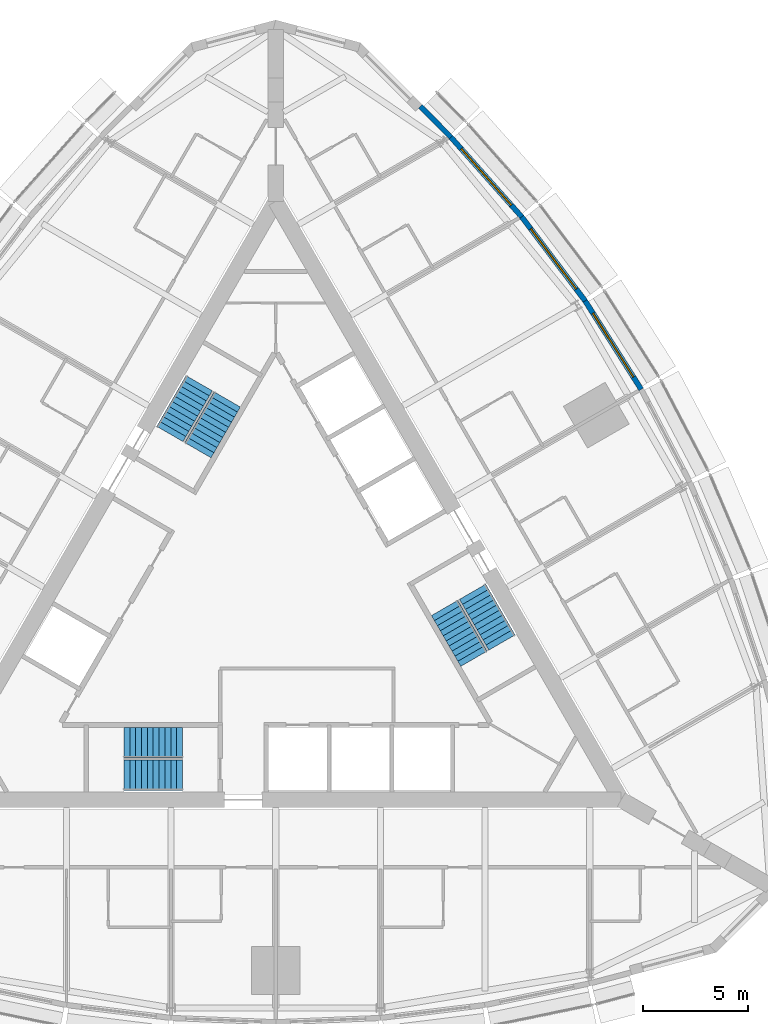
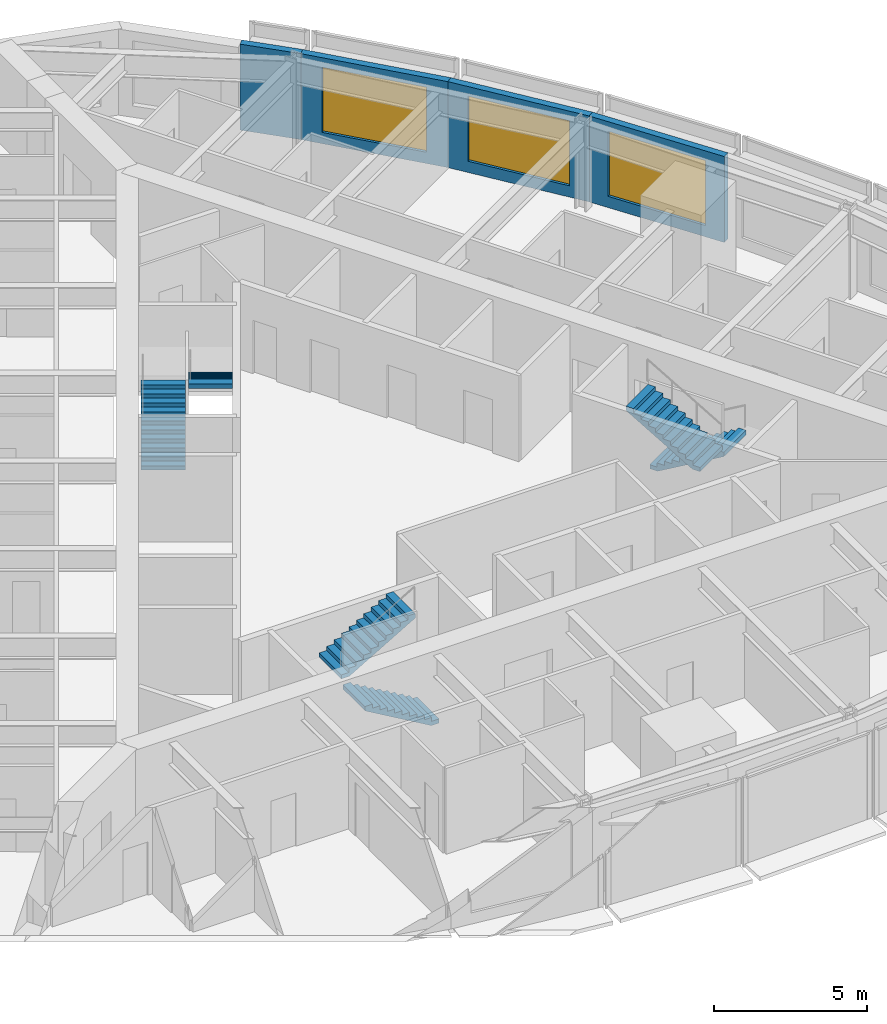
# One storey, part 14 of 15: 6 stair flights, 4 walls, 3 windows, 3 openings, 3 elements without a shape of their own.
"""IFC4 building model written with IfcOpenShell, lengths in metres."""

from ifc_helpers import new_model, si_unit, direction, frame, frame_2d, origin, place, context, subcontext, project, spatial, polyline, rectangle, outline, extrude, material, layer, layer_set, type_object, element, fill, aggregate, save


model = new_model("IFC4")

# Units and contexts
model_context = context("Model", 3, precision=1e-05, world=origin(), true_north=direction((0.0, 1.0)))
body_context = subcontext(model_context, "Body", "Model", "MODEL_VIEW")
ifc_project = project(units=[si_unit("LENGTHUNIT", "METRE"), si_unit("AREAUNIT", "SQUARE_METRE"), si_unit("VOLUMEUNIT", "CUBIC_METRE"), si_unit("PLANEANGLEUNIT", "RADIAN"), si_unit("MASSUNIT", "GRAM", prefix="KILO")], contexts=[model_context])

# Site, building, storey
site_placement = place(None, origin())
site = spatial("IfcSite", under=ifc_project, at=site_placement, CompositionType="ELEMENT")
building_placement = place(site_placement, origin())
building = spatial("IfcBuilding", under=site, at=building_placement, Name="Trikona Tower", CompositionType="ELEMENT")
storey_placement = place(building_placement, frame((0.0, 0.0, 204.5)))
storey = spatial("IfcBuildingStorey", under=building, at=storey_placement, Name="L54", CompositionType="ELEMENT", Elevation=204.5)

# Wall, opening, window
ifc_material_1 = material(Name="Insulated precast concrete spandrel panel", Category="concrete")
ifc_layer = layer(ifc_material_1, 0.25)
ifc_layer_set = layer_set([ifc_layer], Name="Inner skin wall 250")
wall_type = type_object("IfcWallType", Name="Inner skin wall 250", PredefinedType="STANDARD", material=ifc_layer_set)
wall_1_placement = place(storey_placement, frame((17.45556640625, 10.072021484375, 0.0), z_axis=(0.0, 0.0, 1.0), x_axis=(-0.535220361449, 0.844712474568, 0.0)))
wall_1 = element("IfcWall", 1, at=wall_1_placement, inside=storey, type_object=wall_type, Name="External wall L54-16", PredefinedType="STANDARD", context=body_context, shape_type="SweptSolid", body=[
    extrude(rectangle(XDim=5.00439453125, YDim=0.25, at=frame_2d((2.502197265625, 0.0))), origin(), (0.0, 0.0, 1.0), 3.43505859375),
])
opening_1_placement = place(wall_1_placement, frame((0.7021484375, 0.0, 0.449951171875)))
opening_1 = element("IfcOpeningElement", 2, at=opening_1_placement, cuts=wall_1, Name="Opening W3626", PredefinedType="OPENING", context=body_context, shape_type="SweptSolid", body=[
    extrude(rectangle(XDim=3.60009765625, YDim=2.60009765625, at=frame_2d((1.800048828125, 1.300048828125))), frame((0.0, 0.135009765625, 0.0), z_axis=(0.0, -1.0, 0.0), x_axis=(1.0, 0.0, 0.0)), (0.0, 0.0, 1.0), 0.27001953125),
])
ifc_material_2 = material(Name="Aluminium-framed double glazing", Category="aluminium")
window_type = type_object("IfcWindowType", Name="Window 3600x2600", PartitioningType="SINGLE_PANEL", PredefinedType="WINDOW", material=ifc_material_2)
window_1_placement = place(opening_1_placement, origin())
window_1 = element("IfcWindow", 3, at=window_1_placement, inside=storey, type_object=window_type, Name="Window 5409", OverallHeight=2.60009765625, OverallWidth=3.60009765625, PartitioningType="SINGLE_PANEL", PredefinedType="WINDOW", context=body_context, shape_type="SweptSolid", body=[
    extrude(rectangle(XDim=3.60009765625, YDim=2.60009765625, at=frame_2d((1.800048828125, 1.300048828125))), frame((0.0, 0.030029296875, 0.0), z_axis=(0.0, -1.0, 0.0), x_axis=(1.0, 0.0, 0.0)), (0.0, 0.0, 1.0), 0.06005859375),
])
fill(opening_1, window_1)

wall_2_placement = place(storey_placement, frame((14.782958984375, 14.290771484375, 0.0), z_axis=(0.0, 0.0, 1.0), x_axis=(-0.602408653511, 0.798187831388, 0.0)))
wall_2 = element("IfcWall", 4, at=wall_2_placement, inside=storey, type_object=wall_type, Name="External wall L54-17", PredefinedType="STANDARD", context=body_context, shape_type="SweptSolid", body=[
    extrude(rectangle(XDim=5.037841796875, YDim=0.25, at=frame_2d((2.51904296875, 0.0))), origin(), (0.0, 0.0, 1.0), 3.43505859375),
])
opening_2_placement = place(wall_2_placement, frame((0.718994140625, 0.0, 0.449951171875)))
opening_2 = element("IfcOpeningElement", 5, at=opening_2_placement, cuts=wall_2, Name="Opening W3626", PredefinedType="OPENING", context=body_context, shape_type="SweptSolid", body=[
    extrude(rectangle(XDim=3.60009765625, YDim=2.60009765625, at=frame_2d((1.800048828125, 1.300048828125))), frame((0.0, 0.135009765625, 0.0), z_axis=(0.0, -1.0, 0.0), x_axis=(1.0, 0.0, 0.0)), (0.0, 0.0, 1.0), 0.27001953125),
])
window_2_placement = place(opening_2_placement, origin())
window_2 = element("IfcWindow", 6, at=window_2_placement, inside=storey, type_object=window_type, Name="Window 5409", OverallHeight=2.60009765625, OverallWidth=3.60009765625, PartitioningType="SINGLE_PANEL", PredefinedType="WINDOW", context=body_context, shape_type="SweptSolid", body=[
    extrude(rectangle(XDim=3.60009765625, YDim=2.60009765625, at=frame_2d((1.800048828125, 1.300048828125))), frame((0.0, 0.030029296875, 0.0), z_axis=(0.0, -1.0, 0.0), x_axis=(1.0, 0.0, 0.0)), (0.0, 0.0, 1.0), 0.06005859375),
])
fill(opening_2, window_2)

wall_3_placement = place(storey_placement, frame((11.75439453125, 18.304443359375, 0.0), z_axis=(0.0, 0.0, 1.0), x_axis=(-0.664348996191, 0.747422511876, 0.0)))
wall_3 = element("IfcWall", 7, at=wall_3_placement, inside=storey, type_object=wall_type, Name="External wall L54-18", PredefinedType="STANDARD", context=body_context, shape_type="SweptSolid", body=[
    extrude(rectangle(XDim=5.104736328125, YDim=0.25, at=frame_2d((2.55224609375, 0.0))), origin(), (0.0, 0.0, 1.0), 3.43505859375),
])
opening_3_placement = place(wall_3_placement, frame((0.75244140625, 0.0, 0.449951171875)))
opening_3 = element("IfcOpeningElement", 8, at=opening_3_placement, cuts=wall_3, Name="Opening W3626", PredefinedType="OPENING", context=body_context, shape_type="SweptSolid", body=[
    extrude(rectangle(XDim=3.60009765625, YDim=2.60009765625, at=frame_2d((1.800048828125, 1.300048828125))), frame((0.0, 0.135009765625, 0.0), z_axis=(0.0, -1.0, 0.0), x_axis=(1.0, 0.0, 0.0)), (0.0, 0.0, 1.0), 0.27001953125),
])
window_3_placement = place(opening_3_placement, origin())
window_3 = element("IfcWindow", 9, at=window_3_placement, inside=storey, type_object=window_type, Name="Window 5410", OverallHeight=2.60009765625, OverallWidth=3.60009765625, PartitioningType="SINGLE_PANEL", PredefinedType="WINDOW", context=body_context, shape_type="SweptSolid", body=[
    extrude(rectangle(XDim=3.60009765625, YDim=2.60009765625, at=frame_2d((1.800048828125, 1.300048828125))), frame((0.0, 0.030029296875, 0.0), z_axis=(0.0, -1.0, 0.0), x_axis=(1.0, 0.0, 0.0)), (0.0, 0.0, 1.0), 0.06005859375),
])
fill(opening_3, window_3)

# Wall
wall_4_placement = place(storey_placement, frame((8.36767578125, 22.11474609375, 0.0), z_axis=(0.0, 0.0, 1.0), x_axis=(-0.704149946111, 0.710051303352, 0.0)))
element("IfcWall", 10, at=wall_4_placement, inside=storey, type_object=wall_type, Name="External wall L54-19", PredefinedType="STANDARD", context=body_context, shape_type="SweptSolid", body=[
    extrude(rectangle(XDim=2.068603515625, YDim=0.25, at=frame_2d((1.0341796875, 0.0))), origin(), (0.0, 0.0, 1.0), 3.43505859375),
])

# Stair, stair flights
ifc_material_3 = material(Name="Concrete f'c 5000 psi", Category="concrete")
stair_type = type_object("IfcStairType", Name="Core stair", PredefinedType="HALF_TURN_STAIR", material=ifc_material_3)
stair_1_placement = place(storey_placement, origin())
stair_1 = element("IfcStair", 11, at=stair_1_placement, inside=storey, type_object=stair_type, Name="Stair A L54", PredefinedType="HALF_TURN_STAIR")
ifc_material_4 = material(Name="Concrete f'c 5000 psi", Category="concrete")
stair_flight_type = type_object("IfcStairFlightType", Name="Core stair flight 1450", PredefinedType="STRAIGHT", material=ifc_material_4)
stair_flight_1_placement = place(storey_placement, frame((-4.449951171875, -8.351318359375, 0.0), z_axis=(0.0, 0.0, 1.0), x_axis=(-1.0, 0.0, 0.0)))
stair_flight_1 = element("IfcStairFlight", 12, at=stair_flight_1_placement, type_object=stair_flight_type, Name="ST-A flight 1", NumberOfRisers=11, NumberOfTreads=10, PredefinedType="STRAIGHT", RiserHeight=0.163636, TreadLength=0.28, context=body_context, shape_type="SweptSolid", body=[
    extrude(outline(polyline([(0.0, 0.0), (0.0, 0.16357421875), (0.280029296875, 0.16357421875), (0.280029296875, 0.327392578125), (0.56005859375, 0.327392578125), (0.56005859375, 0.490966796875), (0.840087890625, 0.490966796875), (0.840087890625, 0.654541015625), (1.1201171875, 0.654541015625), (1.1201171875, 0.818115234375), (1.39990234375, 0.818115234375), (1.39990234375, 0.98193359375), (1.679931640625, 0.98193359375), (1.679931640625, 1.1455078125), (1.9599609375, 1.1455078125), (1.9599609375, 1.30908203125), (2.239990234375, 1.30908203125), (2.239990234375, 1.47265625), (2.52001953125, 1.47265625), (2.52001953125, 1.636474609375), (2.800048828125, 1.636474609375), (2.800048828125, 1.800048828125), (2.800048828125, 1.462646484375), (0.297119140625, 0.0), (0.0, 0.0)])), frame((0.0, 0.72509765625, 0.0), z_axis=(0.0, -1.0, 0.0), x_axis=(1.0, 0.0, 0.0)), (0.0, 0.0, 1.0), 1.449951171875),
])
stair_flight_2_placement = place(storey_placement, frame((-7.25, -6.80126953125, 1.800048828125), z_axis=(0.0, 0.0, 1.0), x_axis=(1.0, 0.0, 0.0)))
stair_flight_2 = element("IfcStairFlight", 13, at=stair_flight_2_placement, type_object=stair_flight_type, Name="ST-A flight 2", NumberOfRisers=11, NumberOfTreads=10, PredefinedType="STRAIGHT", RiserHeight=0.163636, TreadLength=0.28, context=body_context, shape_type="SweptSolid", body=[
    extrude(outline(polyline([(0.0, 0.0), (0.0, 0.16357421875), (0.280029296875, 0.16357421875), (0.280029296875, 0.327392578125), (0.56005859375, 0.327392578125), (0.56005859375, 0.490966796875), (0.840087890625, 0.490966796875), (0.840087890625, 0.654541015625), (1.1201171875, 0.654541015625), (1.1201171875, 0.818115234375), (1.39990234375, 0.818115234375), (1.39990234375, 0.98193359375), (1.679931640625, 0.98193359375), (1.679931640625, 1.1455078125), (1.9599609375, 1.1455078125), (1.9599609375, 1.30908203125), (2.239990234375, 1.30908203125), (2.239990234375, 1.47265625), (2.52001953125, 1.47265625), (2.52001953125, 1.636474609375), (2.800048828125, 1.636474609375), (2.800048828125, 1.800048828125), (2.800048828125, 1.462646484375), (0.297119140625, 0.0), (0.0, 0.0)])), frame((0.0, 0.72509765625, 0.0), z_axis=(0.0, -1.0, 0.0), x_axis=(1.0, 0.0, 0.0)), (0.0, 0.0, 1.0), 1.449951171875),
])
aggregate(stair_1, [stair_flight_1, stair_flight_2])

stair_2_placement = place(storey_placement, origin())
stair_2 = element("IfcStair", 14, at=stair_2_placement, inside=storey, type_object=stair_type, Name="Stair B L54", PredefinedType="HALF_TURN_STAIR")
stair_flight_3_placement = place(storey_placement, frame((9.407470703125, 0.408447265625, 0.0), z_axis=(0.0, 0.0, 1.0), x_axis=(0.5, -0.866025403784, 0.0)))
stair_flight_3 = element("IfcStairFlight", 15, at=stair_flight_3_placement, type_object=stair_flight_type, Name="ST-B flight 1", NumberOfRisers=11, NumberOfTreads=10, PredefinedType="STRAIGHT", RiserHeight=0.163636, TreadLength=0.28, context=body_context, shape_type="SweptSolid", body=[
    extrude(outline(polyline([(0.0, 0.0), (0.0, 0.16357421875), (0.280029296875, 0.16357421875), (0.280029296875, 0.327392578125), (0.56005859375, 0.327392578125), (0.56005859375, 0.490966796875), (0.840087890625, 0.490966796875), (0.840087890625, 0.654541015625), (1.1201171875, 0.654541015625), (1.1201171875, 0.818115234375), (1.39990234375, 0.818115234375), (1.39990234375, 0.98193359375), (1.679931640625, 0.98193359375), (1.679931640625, 1.1455078125), (1.9599609375, 1.1455078125), (1.9599609375, 1.30908203125), (2.239990234375, 1.30908203125), (2.239990234375, 1.47265625), (2.52001953125, 1.47265625), (2.52001953125, 1.636474609375), (2.800048828125, 1.636474609375), (2.800048828125, 1.800048828125), (2.800048828125, 1.462646484375), (0.297119140625, 0.0), (0.0, 0.0)])), frame((0.0, 0.72509765625, 0.0), z_axis=(0.0, -1.0, 0.0), x_axis=(1.0, 0.0, 0.0)), (0.0, 0.0, 1.0), 1.449951171875),
])
stair_flight_4_placement = place(storey_placement, frame((9.465087890625, -2.79150390625, 1.800048828125), z_axis=(0.0, 0.0, 1.0), x_axis=(-0.5, 0.866025403784, 0.0)))
stair_flight_4 = element("IfcStairFlight", 16, at=stair_flight_4_placement, type_object=stair_flight_type, Name="ST-B flight 2", NumberOfRisers=11, NumberOfTreads=10, PredefinedType="STRAIGHT", RiserHeight=0.163636, TreadLength=0.28, context=body_context, shape_type="SweptSolid", body=[
    extrude(outline(polyline([(0.0, 0.0), (0.0, 0.16357421875), (0.280029296875, 0.16357421875), (0.280029296875, 0.327392578125), (0.56005859375, 0.327392578125), (0.56005859375, 0.490966796875), (0.840087890625, 0.490966796875), (0.840087890625, 0.654541015625), (1.1201171875, 0.654541015625), (1.1201171875, 0.818115234375), (1.39990234375, 0.818115234375), (1.39990234375, 0.98193359375), (1.679931640625, 0.98193359375), (1.679931640625, 1.1455078125), (1.9599609375, 1.1455078125), (1.9599609375, 1.30908203125), (2.239990234375, 1.30908203125), (2.239990234375, 1.47265625), (2.52001953125, 1.47265625), (2.52001953125, 1.636474609375), (2.800048828125, 1.636474609375), (2.800048828125, 1.800048828125), (2.800048828125, 1.462646484375), (0.297119140625, 0.0), (0.0, 0.0)])), frame((0.0, 0.72509765625, 0.0), z_axis=(0.0, -1.0, 0.0), x_axis=(1.0, 0.0, 0.0)), (0.0, 0.0, 1.0), 1.449951171875),
])
aggregate(stair_2, [stair_flight_3, stair_flight_4])

stair_3_placement = place(storey_placement, origin())
stair_3 = element("IfcStair", 17, at=stair_3_placement, inside=storey, type_object=stair_type, Name="Stair C L54", PredefinedType="HALF_TURN_STAIR")
stair_flight_5_placement = place(storey_placement, frame((-5.057373046875, 7.94287109375, 0.0), z_axis=(0.0, 0.0, 1.0), x_axis=(0.5, 0.866025403784, 0.0)))
stair_flight_5 = element("IfcStairFlight", 18, at=stair_flight_5_placement, type_object=stair_flight_type, Name="ST-C flight 1", NumberOfRisers=11, NumberOfTreads=10, PredefinedType="STRAIGHT", RiserHeight=0.163636, TreadLength=0.28, context=body_context, shape_type="SweptSolid", body=[
    extrude(outline(polyline([(0.0, 0.0), (0.0, 0.16357421875), (0.280029296875, 0.16357421875), (0.280029296875, 0.327392578125), (0.56005859375, 0.327392578125), (0.56005859375, 0.490966796875), (0.840087890625, 0.490966796875), (0.840087890625, 0.654541015625), (1.1201171875, 0.654541015625), (1.1201171875, 0.818115234375), (1.39990234375, 0.818115234375), (1.39990234375, 0.98193359375), (1.679931640625, 0.98193359375), (1.679931640625, 1.1455078125), (1.9599609375, 1.1455078125), (1.9599609375, 1.30908203125), (2.239990234375, 1.30908203125), (2.239990234375, 1.47265625), (2.52001953125, 1.47265625), (2.52001953125, 1.636474609375), (2.800048828125, 1.636474609375), (2.800048828125, 1.800048828125), (2.800048828125, 1.462646484375), (0.297119140625, 0.0), (0.0, 0.0)])), frame((0.0, 0.72509765625, 0.0), z_axis=(0.0, -1.0, 0.0), x_axis=(1.0, 0.0, 0.0)), (0.0, 0.0, 1.0), 1.449951171875),
])
stair_flight_6_placement = place(storey_placement, frame((-2.315185546875, 9.5927734375, 1.800048828125), z_axis=(0.0, 0.0, 1.0), x_axis=(-0.5, -0.866025403784, 0.0)))
stair_flight_6 = element("IfcStairFlight", 19, at=stair_flight_6_placement, type_object=stair_flight_type, Name="ST-C flight 2", NumberOfRisers=11, NumberOfTreads=10, PredefinedType="STRAIGHT", RiserHeight=0.163636, TreadLength=0.28, context=body_context, shape_type="SweptSolid", body=[
    extrude(outline(polyline([(0.0, 0.0), (0.0, 0.16357421875), (0.280029296875, 0.16357421875), (0.280029296875, 0.327392578125), (0.56005859375, 0.327392578125), (0.56005859375, 0.490966796875), (0.840087890625, 0.490966796875), (0.840087890625, 0.654541015625), (1.1201171875, 0.654541015625), (1.1201171875, 0.818115234375), (1.39990234375, 0.818115234375), (1.39990234375, 0.98193359375), (1.679931640625, 0.98193359375), (1.679931640625, 1.1455078125), (1.9599609375, 1.1455078125), (1.9599609375, 1.30908203125), (2.239990234375, 1.30908203125), (2.239990234375, 1.47265625), (2.52001953125, 1.47265625), (2.52001953125, 1.636474609375), (2.800048828125, 1.636474609375), (2.800048828125, 1.800048828125), (2.800048828125, 1.462646484375), (0.297119140625, 0.0), (0.0, 0.0)])), frame((0.0, 0.72509765625, 0.0), z_axis=(0.0, -1.0, 0.0), x_axis=(1.0, 0.0, 0.0)), (0.0, 0.0, 1.0), 1.449951171875),
])
aggregate(stair_3, [stair_flight_5, stair_flight_6])

save(model, "model.ifc")
